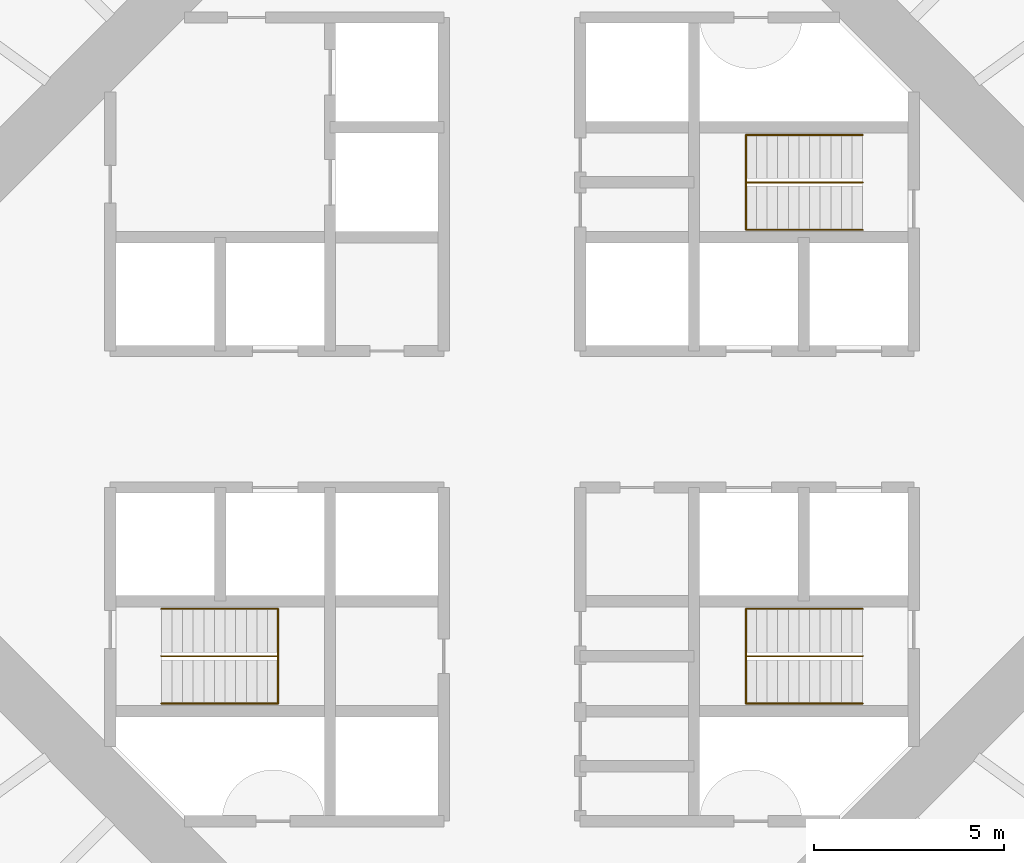
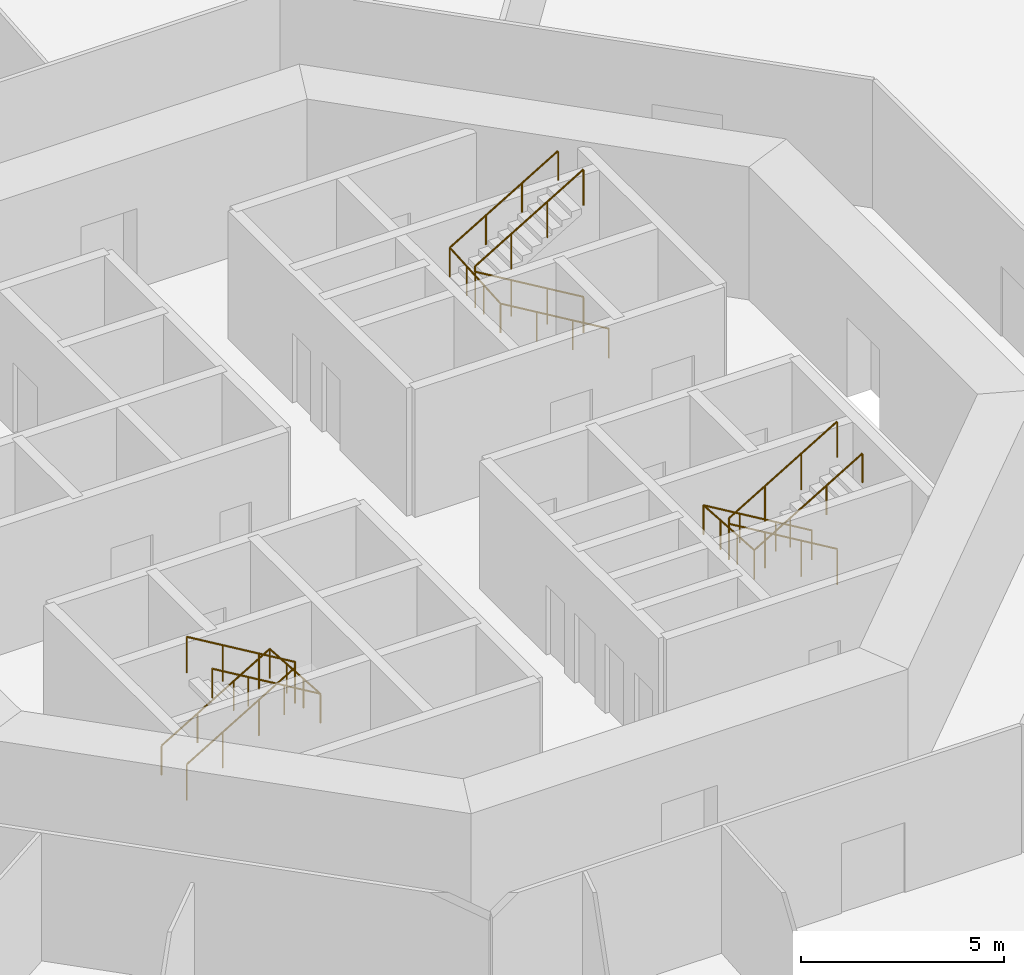
# One storey, part 13 of 13: 6 railings.
"""IFC4 building model written with IfcOpenShell, lengths in metres."""

from ifc_helpers import new_model, si_unit, direction, frame, origin, origin_2d, place, context, subcontext, project, spatial, circle, extrude, material, type_object, element, save


model = new_model("IFC4")

# Units and contexts
model_context = context("Model", 3, precision=1e-05, world=origin(), true_north=direction((0.0, 1.0)))
body_context = subcontext(model_context, "Body", "Model", "MODEL_VIEW")
ifc_project = project(units=[si_unit("LENGTHUNIT", "METRE"), si_unit("AREAUNIT", "SQUARE_METRE"), si_unit("VOLUMEUNIT", "CUBIC_METRE"), si_unit("PLANEANGLEUNIT", "RADIAN"), si_unit("MASSUNIT", "GRAM", prefix="KILO")], contexts=[model_context])

# Site, building, storey
site_placement = place(None, origin())
site = spatial("IfcSite", under=ifc_project, at=site_placement, CompositionType="ELEMENT")
building_placement = place(site_placement, origin())
building = spatial("IfcBuilding", under=site, at=building_placement, Name="Entoto Ring Tower", CompositionType="ELEMENT")
storey_placement = place(building_placement, frame((0.0, 0.0, 50.0)))
storey = spatial("IfcBuildingStorey", under=building, at=storey_placement, Name="L10", CompositionType="ELEMENT", Elevation=50.0)

# Railings
ifc_material_1 = material(Name="Steel S275", Category="steel")
railing_type_1 = type_object("IfcRailingType", Name="Stair guard 1100 mm steel", PredefinedType="GUARDRAIL", material=ifc_material_1)
railing_1_placement = place(storey_placement, frame((99.25, 86.25, 0.166748046875)))
element("IfcRailing", 1, at=railing_1_placement, inside=storey, type_object=railing_type_1, Name="Guard ST1", PredefinedType="GUARDRAIL", context=body_context, shape_type="SweptSolid", body=[
    extrude(circle(Radius=0.02392578125, at=origin_2d()), frame((0.0, 0.0, 1.076171875), z_axis=(-0.859308565015, 0.0, 0.511457515432), x_axis=(0.0, -1.0, 0.0)), (0.0, 0.0, 1.0), 3.58447265625),
    extrude(circle(Radius=0.02392578125, at=origin_2d()), frame((-3.080078125, 0.0, 2.9091796875), z_axis=(0.0, 0.0, 1.0), x_axis=(1.0, 0.0, 0.0)), (0.0, 0.0, 1.0), 0.166748046875),
    extrude(circle(Radius=0.02392578125, at=origin_2d()), frame((-3.080078125, 0.0, 3.076171875), z_axis=(0.859308565015, 0.0, 0.511457515432), x_axis=(0.0, 1.0, 0.0)), (0.0, 0.0, 1.0), 3.58447265625),
    extrude(circle(Radius=0.02099609375, at=origin_2d()), origin(), (0.0, 0.0, 1.0), 1.052001953125),
    extrude(circle(Radius=0.02099609375, at=origin_2d()), frame((-1.026611328125, 0.0, 0.611083984375)), (0.0, 0.0, 1.0), 1.052001953125),
    extrude(circle(Radius=0.02099609375, at=origin_2d()), frame((-2.053466796875, 0.0, 1.22216796875)), (0.0, 0.0, 1.0), 1.052001953125),
    extrude(circle(Radius=0.02099609375, at=origin_2d()), frame((-3.080078125, 0.0, 1.833251953125)), (0.0, 0.0, 1.0), 1.052001953125),
    extrude(circle(Radius=0.02099609375, at=origin_2d()), frame((-3.080078125, 0.0, 2.0)), (0.0, 0.0, 1.0), 1.052001953125),
    extrude(circle(Radius=0.02099609375, at=origin_2d()), frame((-2.053466796875, 0.0, 2.611083984375)), (0.0, 0.0, 1.0), 1.052001953125),
    extrude(circle(Radius=0.02099609375, at=origin_2d()), frame((-1.026611328125, 0.0, 3.22216796875)), (0.0, 0.0, 1.0), 1.052001953125),
    extrude(circle(Radius=0.02099609375, at=origin_2d()), frame((0.0, 0.0, 3.833251953125)), (0.0, 0.0, 1.0), 1.052001953125),
])
railing_2_placement = place(storey_placement, frame((80.75, 73.75, 0.166748046875)))
element("IfcRailing", 2, at=railing_2_placement, inside=storey, type_object=railing_type_1, Name="Guard ST2", PredefinedType="GUARDRAIL", context=body_context, shape_type="SweptSolid", body=[
    extrude(circle(Radius=0.02392578125, at=origin_2d()), frame((0.0, 0.0, 1.076171875), z_axis=(0.859308565015, 0.0, 0.511457515432), x_axis=(0.0, 1.0, 0.0)), (0.0, 0.0, 1.0), 3.58447265625),
    extrude(circle(Radius=0.02392578125, at=origin_2d()), frame((3.080078125, 0.0, 2.9091796875), z_axis=(0.0, 0.0, 1.0), x_axis=(1.0, 0.0, 0.0)), (0.0, 0.0, 1.0), 0.166748046875),
    extrude(circle(Radius=0.02392578125, at=origin_2d()), frame((3.080078125, 0.0, 3.076171875), z_axis=(-0.859308565015, 0.0, 0.511457515432), x_axis=(0.0, -1.0, 0.0)), (0.0, 0.0, 1.0), 3.58447265625),
    extrude(circle(Radius=0.02099609375, at=origin_2d()), origin(), (0.0, 0.0, 1.0), 1.052001953125),
    extrude(circle(Radius=0.02099609375, at=origin_2d()), frame((1.026611328125, 0.0, 0.611083984375)), (0.0, 0.0, 1.0), 1.052001953125),
    extrude(circle(Radius=0.02099609375, at=origin_2d()), frame((2.053466796875, 0.0, 1.22216796875)), (0.0, 0.0, 1.0), 1.052001953125),
    extrude(circle(Radius=0.02099609375, at=origin_2d()), frame((3.080078125, 0.0, 1.833251953125)), (0.0, 0.0, 1.0), 1.052001953125),
    extrude(circle(Radius=0.02099609375, at=origin_2d()), frame((3.080078125, 0.0, 2.0)), (0.0, 0.0, 1.0), 1.052001953125),
    extrude(circle(Radius=0.02099609375, at=origin_2d()), frame((2.053466796875, 0.0, 2.611083984375)), (0.0, 0.0, 1.0), 1.052001953125),
    extrude(circle(Radius=0.02099609375, at=origin_2d()), frame((1.026611328125, 0.0, 3.22216796875)), (0.0, 0.0, 1.0), 1.052001953125),
    extrude(circle(Radius=0.02099609375, at=origin_2d()), frame((0.0, 0.0, 3.833251953125)), (0.0, 0.0, 1.0), 1.052001953125),
])
railing_3_placement = place(storey_placement, frame((99.25, 73.75, 0.166748046875)))
element("IfcRailing", 3, at=railing_3_placement, inside=storey, type_object=railing_type_1, Name="Guard ST3", PredefinedType="GUARDRAIL", context=body_context, shape_type="SweptSolid", body=[
    extrude(circle(Radius=0.02392578125, at=origin_2d()), frame((0.0, 0.0, 1.076171875), z_axis=(-0.859308565015, 0.0, 0.511457515432), x_axis=(0.0, -1.0, 0.0)), (0.0, 0.0, 1.0), 3.58447265625),
    extrude(circle(Radius=0.02392578125, at=origin_2d()), frame((-3.080078125, 0.0, 2.9091796875), z_axis=(0.0, 0.0, 1.0), x_axis=(1.0, 0.0, 0.0)), (0.0, 0.0, 1.0), 0.166748046875),
    extrude(circle(Radius=0.02392578125, at=origin_2d()), frame((-3.080078125, 0.0, 3.076171875), z_axis=(0.859308565015, 0.0, 0.511457515432), x_axis=(0.0, 1.0, 0.0)), (0.0, 0.0, 1.0), 3.58447265625),
    extrude(circle(Radius=0.02099609375, at=origin_2d()), origin(), (0.0, 0.0, 1.0), 1.052001953125),
    extrude(circle(Radius=0.02099609375, at=origin_2d()), frame((-1.026611328125, 0.0, 0.611083984375)), (0.0, 0.0, 1.0), 1.052001953125),
    extrude(circle(Radius=0.02099609375, at=origin_2d()), frame((-2.053466796875, 0.0, 1.22216796875)), (0.0, 0.0, 1.0), 1.052001953125),
    extrude(circle(Radius=0.02099609375, at=origin_2d()), frame((-3.080078125, 0.0, 1.833251953125)), (0.0, 0.0, 1.0), 1.052001953125),
    extrude(circle(Radius=0.02099609375, at=origin_2d()), frame((-3.080078125, 0.0, 2.0)), (0.0, 0.0, 1.0), 1.052001953125),
    extrude(circle(Radius=0.02099609375, at=origin_2d()), frame((-2.053466796875, 0.0, 2.611083984375)), (0.0, 0.0, 1.0), 1.052001953125),
    extrude(circle(Radius=0.02099609375, at=origin_2d()), frame((-1.026611328125, 0.0, 3.22216796875)), (0.0, 0.0, 1.0), 1.052001953125),
    extrude(circle(Radius=0.02099609375, at=origin_2d()), frame((0.0, 0.0, 3.833251953125)), (0.0, 0.0, 1.0), 1.052001953125),
])
ifc_material_2 = material(Name="Steel S275", Category="steel")
railing_type_2 = type_object("IfcRailingType", Name="Stair handrail 900 mm steel", PredefinedType="HANDRAIL", material=ifc_material_2)
railing_4_placement = place(storey_placement, frame((99.25, 85.0, 0.166748046875)))
element("IfcRailing", 4, at=railing_4_placement, inside=storey, type_object=railing_type_2, Name="Handrail ST1", PredefinedType="HANDRAIL", context=body_context, shape_type="SweptSolid", body=[
    extrude(circle(Radius=0.02392578125, at=origin_2d()), frame((0.0, 0.0, 0.8759765625), z_axis=(-0.859308565015, 0.0, 0.511457515432), x_axis=(0.0, -1.0, 0.0)), (0.0, 0.0, 1.0), 3.58447265625),
    extrude(circle(Radius=0.02392578125, at=origin_2d()), frame((-3.080078125, 0.0, 2.708984375), z_axis=(0.0, 0.997783001586, 0.066551346688), x_axis=(-1.0, 0.0, 0.0)), (0.0, 0.0, 1.0), 2.505615234375),
    extrude(circle(Radius=0.02392578125, at=origin_2d()), frame((-3.080078125, 2.5, 2.8759765625), z_axis=(0.859308565015, 0.0, 0.511457515432), x_axis=(0.0, 1.0, 0.0)), (0.0, 0.0, 1.0), 3.58447265625),
    extrude(circle(Radius=0.02099609375, at=origin_2d()), origin(), (0.0, 0.0, 1.0), 0.851806640625),
    extrude(circle(Radius=0.02099609375, at=origin_2d()), frame((-1.026611328125, 0.0, 0.611083984375)), (0.0, 0.0, 1.0), 0.851806640625),
    extrude(circle(Radius=0.02099609375, at=origin_2d()), frame((-2.053466796875, 0.0, 1.22216796875)), (0.0, 0.0, 1.0), 0.851806640625),
    extrude(circle(Radius=0.02099609375, at=origin_2d()), frame((-3.080078125, 0.0, 1.833251953125)), (0.0, 0.0, 1.0), 0.851806640625),
    extrude(circle(Radius=0.02099609375, at=origin_2d()), frame((-3.080078125, 0.833251953125, 1.888916015625)), (0.0, 0.0, 1.0), 0.851806640625),
    extrude(circle(Radius=0.02099609375, at=origin_2d()), frame((-3.080078125, 1.666748046875, 1.9443359375)), (0.0, 0.0, 1.0), 0.851806640625),
    extrude(circle(Radius=0.02099609375, at=origin_2d()), frame((-3.080078125, 2.5, 2.0)), (0.0, 0.0, 1.0), 0.851806640625),
    extrude(circle(Radius=0.02099609375, at=origin_2d()), frame((-2.053466796875, 2.5, 2.611083984375)), (0.0, 0.0, 1.0), 0.851806640625),
    extrude(circle(Radius=0.02099609375, at=origin_2d()), frame((-1.026611328125, 2.5, 3.22216796875)), (0.0, 0.0, 1.0), 0.851806640625),
    extrude(circle(Radius=0.02099609375, at=origin_2d()), frame((0.0, 2.5, 3.833251953125)), (0.0, 0.0, 1.0), 0.851806640625),
])
railing_5_placement = place(storey_placement, frame((80.75, 75.0, 0.166748046875)))
element("IfcRailing", 5, at=railing_5_placement, inside=storey, type_object=railing_type_2, Name="Handrail ST2", PredefinedType="HANDRAIL", context=body_context, shape_type="SweptSolid", body=[
    extrude(circle(Radius=0.02392578125, at=origin_2d()), frame((0.0, 0.0, 0.8759765625), z_axis=(0.859308565015, 0.0, 0.511457515432), x_axis=(0.0, 1.0, 0.0)), (0.0, 0.0, 1.0), 3.58447265625),
    extrude(circle(Radius=0.02392578125, at=origin_2d()), frame((3.080078125, 0.0, 2.708984375), z_axis=(0.0, -0.997783001586, 0.066551346688), x_axis=(1.0, 0.0, 0.0)), (0.0, 0.0, 1.0), 2.505615234375),
    extrude(circle(Radius=0.02392578125, at=origin_2d()), frame((3.080078125, -2.5, 2.8759765625), z_axis=(-0.859308565015, 0.0, 0.511457515432), x_axis=(0.0, -1.0, 0.0)), (0.0, 0.0, 1.0), 3.58447265625),
    extrude(circle(Radius=0.02099609375, at=origin_2d()), origin(), (0.0, 0.0, 1.0), 0.851806640625),
    extrude(circle(Radius=0.02099609375, at=origin_2d()), frame((1.026611328125, 0.0, 0.611083984375)), (0.0, 0.0, 1.0), 0.851806640625),
    extrude(circle(Radius=0.02099609375, at=origin_2d()), frame((2.053466796875, 0.0, 1.22216796875)), (0.0, 0.0, 1.0), 0.851806640625),
    extrude(circle(Radius=0.02099609375, at=origin_2d()), frame((3.080078125, 0.0, 1.833251953125)), (0.0, 0.0, 1.0), 0.851806640625),
    extrude(circle(Radius=0.02099609375, at=origin_2d()), frame((3.080078125, -0.833251953125, 1.888916015625)), (0.0, 0.0, 1.0), 0.851806640625),
    extrude(circle(Radius=0.02099609375, at=origin_2d()), frame((3.080078125, -1.666748046875, 1.9443359375)), (0.0, 0.0, 1.0), 0.851806640625),
    extrude(circle(Radius=0.02099609375, at=origin_2d()), frame((3.080078125, -2.5, 2.0)), (0.0, 0.0, 1.0), 0.851806640625),
    extrude(circle(Radius=0.02099609375, at=origin_2d()), frame((2.053466796875, -2.5, 2.611083984375)), (0.0, 0.0, 1.0), 0.851806640625),
    extrude(circle(Radius=0.02099609375, at=origin_2d()), frame((1.026611328125, -2.5, 3.22216796875)), (0.0, 0.0, 1.0), 0.851806640625),
    extrude(circle(Radius=0.02099609375, at=origin_2d()), frame((0.0, -2.5, 3.833251953125)), (0.0, 0.0, 1.0), 0.851806640625),
])
railing_6_placement = place(storey_placement, frame((99.25, 75.0, 0.166748046875)))
element("IfcRailing", 6, at=railing_6_placement, inside=storey, type_object=railing_type_2, Name="Handrail ST3", PredefinedType="HANDRAIL", context=body_context, shape_type="SweptSolid", body=[
    extrude(circle(Radius=0.02392578125, at=origin_2d()), frame((0.0, 0.0, 0.8759765625), z_axis=(-0.859308565015, 0.0, 0.511457515432), x_axis=(0.0, -1.0, 0.0)), (0.0, 0.0, 1.0), 3.58447265625),
    extrude(circle(Radius=0.02392578125, at=origin_2d()), frame((-3.080078125, 0.0, 2.708984375), z_axis=(0.0, -0.997783001586, 0.066551346688), x_axis=(1.0, 0.0, 0.0)), (0.0, 0.0, 1.0), 2.505615234375),
    extrude(circle(Radius=0.02392578125, at=origin_2d()), frame((-3.080078125, -2.5, 2.8759765625), z_axis=(0.859308565015, 0.0, 0.511457515432), x_axis=(0.0, 1.0, 0.0)), (0.0, 0.0, 1.0), 3.58447265625),
    extrude(circle(Radius=0.02099609375, at=origin_2d()), origin(), (0.0, 0.0, 1.0), 0.851806640625),
    extrude(circle(Radius=0.02099609375, at=origin_2d()), frame((-1.026611328125, 0.0, 0.611083984375)), (0.0, 0.0, 1.0), 0.851806640625),
    extrude(circle(Radius=0.02099609375, at=origin_2d()), frame((-2.053466796875, 0.0, 1.22216796875)), (0.0, 0.0, 1.0), 0.851806640625),
    extrude(circle(Radius=0.02099609375, at=origin_2d()), frame((-3.080078125, 0.0, 1.833251953125)), (0.0, 0.0, 1.0), 0.851806640625),
    extrude(circle(Radius=0.02099609375, at=origin_2d()), frame((-3.080078125, -0.833251953125, 1.888916015625)), (0.0, 0.0, 1.0), 0.851806640625),
    extrude(circle(Radius=0.02099609375, at=origin_2d()), frame((-3.080078125, -1.666748046875, 1.9443359375)), (0.0, 0.0, 1.0), 0.851806640625),
    extrude(circle(Radius=0.02099609375, at=origin_2d()), frame((-3.080078125, -2.5, 2.0)), (0.0, 0.0, 1.0), 0.851806640625),
    extrude(circle(Radius=0.02099609375, at=origin_2d()), frame((-2.053466796875, -2.5, 2.611083984375)), (0.0, 0.0, 1.0), 0.851806640625),
    extrude(circle(Radius=0.02099609375, at=origin_2d()), frame((-1.026611328125, -2.5, 3.22216796875)), (0.0, 0.0, 1.0), 0.851806640625),
    extrude(circle(Radius=0.02099609375, at=origin_2d()), frame((0.0, -2.5, 3.833251953125)), (0.0, 0.0, 1.0), 0.851806640625),
])

save(model, "model.ifc")
